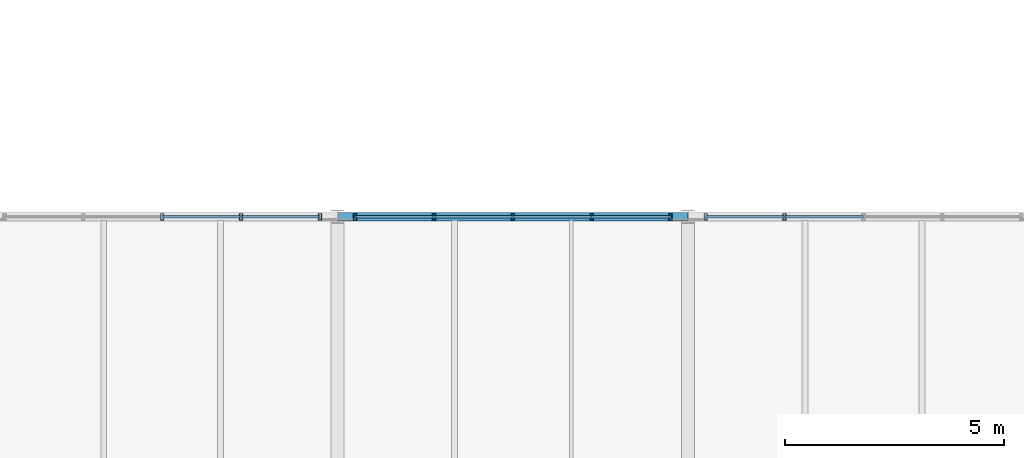
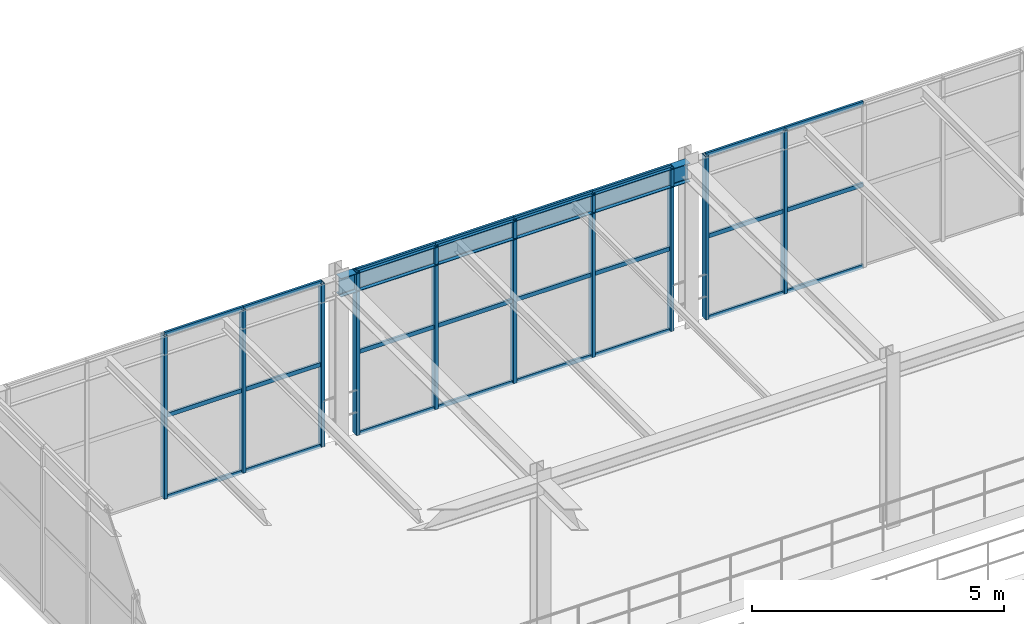
# One storey, part 48 of 124: 34 members, 1 beam, 3 elements without a shape of their own.
"""IFC4 building model written with IfcOpenShell, lengths in metres."""

from ifc_helpers import new_model, si_unit, direction, frame, origin, origin_2d, place, context, subcontext, project, spatial, hollow_rectangle, i_section, extrude, material, material_profile, profile_set, type_object, element, aggregate, save


model = new_model("IFC4")

# Units and contexts
model_context = context("Model", 3, precision=1e-05, world=origin(), true_north=direction((0.0, 1.0)))
body_context = subcontext(model_context, "Body", "Model", "MODEL_VIEW")
ifc_project = project(units=[si_unit("LENGTHUNIT", "METRE"), si_unit("AREAUNIT", "SQUARE_METRE"), si_unit("VOLUMEUNIT", "CUBIC_METRE"), si_unit("PLANEANGLEUNIT", "RADIAN"), si_unit("MASSUNIT", "GRAM", prefix="KILO")], contexts=[model_context])

# Site, building, storey
site_placement = place(None, origin())
site = spatial("IfcSite", under=ifc_project, at=site_placement, CompositionType="ELEMENT")
building_placement = place(site_placement, origin())
building = spatial("IfcBuilding", under=site, at=building_placement, Name="Sundkrona Museum", CompositionType="ELEMENT")
storey_placement = place(building_placement, frame((0.0, 0.0, 17.60009765625)))
storey = spatial("IfcBuildingStorey", under=building, at=storey_placement, Name="L03", CompositionType="ELEMENT", Elevation=17.60009765625)

# Curtain wall, members
ifc_material_1 = material(Name="Unitised Aluminium-Steel and Ceramic-Clad Curtain Walling", Category="steel")
curtain_wall_type = type_object("IfcCurtainWallType", Name="CW-AT-72x38", PredefinedType="NOTDEFINED", material=ifc_material_1)
curtain_wall_1_placement = place(storey_placement, origin())
curtain_wall_1 = element("IfcCurtainWall", 1, at=curtain_wall_1_placement, inside=storey, type_object=curtain_wall_type, Name="L03 Curtain Wall CW-L03-070", PredefinedType="NOTDEFINED")
ifc_material_2 = material(Name="Aluminium EN AW-6060 T66", Category="aluminium")
ifc_material_profile_1 = material_profile(ifc_material_2, hollow_rectangle(XDim=0.074951171875, YDim=0.14990234375, WallThickness=0.00634765625, at=origin_2d()), Name="RHS 150x75x6.3")
ifc_profile_set_1 = profile_set([ifc_material_profile_1], Name="Aluminium EN AW-6060 T66")
member_type_1 = type_object("IfcMemberType", Name="ML-150", PredefinedType="MULLION", material=ifc_profile_set_1)
member_1_placement = place(storey_placement, frame((84.0, 40.0, -0.004150390625), z_axis=(0.0, 0.0, 1.0), x_axis=(1.0, 0.0, 0.0)))
member_1 = element("IfcMember", 2, at=member_1_placement, type_object=member_type_1, Name="CW-L03-070 Mullion 03", PredefinedType="MULLION", context=body_context, shape_type="SweptSolid", body=[
    extrude(hollow_rectangle(XDim=0.074951171875, YDim=0.14990234375, WallThickness=0.00634765625, at=origin_2d()), origin(), (0.0, 0.0, 1.0), 3.947998046875),
])
member_2_placement = place(storey_placement, frame((85.800048828125, 40.0, -0.004150390625), z_axis=(0.0, 0.0, 1.0), x_axis=(1.0, 0.0, 0.0)))
member_2 = element("IfcMember", 3, at=member_2_placement, type_object=member_type_1, Name="CW-L03-070 Mullion 04", PredefinedType="MULLION", context=body_context, shape_type="SweptSolid", body=[
    extrude(hollow_rectangle(XDim=0.074951171875, YDim=0.14990234375, WallThickness=0.00634765625, at=origin_2d()), origin(), (0.0, 0.0, 1.0), 3.947998046875),
])
member_3_placement = place(storey_placement, frame((87.60009765625, 40.0, -0.004150390625), z_axis=(0.0, 0.0, 1.0), x_axis=(1.0, 0.0, 0.0)))
member_3 = element("IfcMember", 4, at=member_3_placement, type_object=member_type_1, Name="CW-L03-070 Mullion 05", PredefinedType="MULLION", context=body_context, shape_type="SweptSolid", body=[
    extrude(hollow_rectangle(XDim=0.074951171875, YDim=0.14990234375, WallThickness=0.00634765625, at=origin_2d()), origin(), (0.0, 0.0, 1.0), 3.947998046875),
])

curtain_wall_2_placement = place(storey_placement, origin())
curtain_wall_2 = element("IfcCurtainWall", 5, at=curtain_wall_2_placement, inside=storey, type_object=curtain_wall_type, Name="L03 Curtain Wall CW-L03-071", PredefinedType="NOTDEFINED")
member_4_placement = place(storey_placement, frame((88.39990234375, 40.0, -0.004150390625), z_axis=(0.0, 0.0, 1.0), x_axis=(1.0, 0.0, 0.0)))
member_4 = element("IfcMember", 6, at=member_4_placement, type_object=member_type_1, Name="CW-L03-071 Mullion 01", PredefinedType="MULLION", context=body_context, shape_type="SweptSolid", body=[
    extrude(hollow_rectangle(XDim=0.074951171875, YDim=0.14990234375, WallThickness=0.00634765625, at=origin_2d()), origin(), (0.0, 0.0, 1.0), 3.947998046875),
])
member_5_placement = place(storey_placement, frame((90.199951171875, 40.0, -0.004150390625), z_axis=(0.0, 0.0, 1.0), x_axis=(1.0, 0.0, 0.0)))
member_5 = element("IfcMember", 7, at=member_5_placement, type_object=member_type_1, Name="CW-L03-071 Mullion 02", PredefinedType="MULLION", context=body_context, shape_type="SweptSolid", body=[
    extrude(hollow_rectangle(XDim=0.074951171875, YDim=0.14990234375, WallThickness=0.00634765625, at=origin_2d()), origin(), (0.0, 0.0, 1.0), 3.947998046875),
])
member_6_placement = place(storey_placement, frame((92.0, 40.0, -0.004150390625), z_axis=(0.0, 0.0, 1.0), x_axis=(1.0, 0.0, 0.0)))
member_6 = element("IfcMember", 8, at=member_6_placement, type_object=member_type_1, Name="CW-L03-071 Mullion 03", PredefinedType="MULLION", context=body_context, shape_type="SweptSolid", body=[
    extrude(hollow_rectangle(XDim=0.074951171875, YDim=0.14990234375, WallThickness=0.00634765625, at=origin_2d()), origin(), (0.0, 0.0, 1.0), 3.947998046875),
])
member_7_placement = place(storey_placement, frame((93.800048828125, 40.0, -0.004150390625), z_axis=(0.0, 0.0, 1.0), x_axis=(1.0, 0.0, 0.0)))
member_7 = element("IfcMember", 9, at=member_7_placement, type_object=member_type_1, Name="CW-L03-071 Mullion 04", PredefinedType="MULLION", context=body_context, shape_type="SweptSolid", body=[
    extrude(hollow_rectangle(XDim=0.074951171875, YDim=0.14990234375, WallThickness=0.00634765625, at=origin_2d()), origin(), (0.0, 0.0, 1.0), 3.947998046875),
])
member_8_placement = place(storey_placement, frame((95.60009765625, 40.0, -0.004150390625), z_axis=(0.0, 0.0, 1.0), x_axis=(1.0, 0.0, 0.0)))
member_8 = element("IfcMember", 10, at=member_8_placement, type_object=member_type_1, Name="CW-L03-071 Mullion 05", PredefinedType="MULLION", context=body_context, shape_type="SweptSolid", body=[
    extrude(hollow_rectangle(XDim=0.074951171875, YDim=0.14990234375, WallThickness=0.00634765625, at=origin_2d()), origin(), (0.0, 0.0, 1.0), 3.947998046875),
])

curtain_wall_3_placement = place(storey_placement, origin())
curtain_wall_3 = element("IfcCurtainWall", 11, at=curtain_wall_3_placement, inside=storey, type_object=curtain_wall_type, Name="L03 Curtain Wall CW-L03-072", PredefinedType="NOTDEFINED")
member_9_placement = place(storey_placement, frame((96.39990234375, 40.0, -0.004150390625), z_axis=(0.0, 0.0, 1.0), x_axis=(1.0, 0.0, 0.0)))
member_9 = element("IfcMember", 12, at=member_9_placement, type_object=member_type_1, Name="CW-L03-072 Mullion 01", PredefinedType="MULLION", context=body_context, shape_type="SweptSolid", body=[
    extrude(hollow_rectangle(XDim=0.074951171875, YDim=0.14990234375, WallThickness=0.00634765625, at=origin_2d()), origin(), (0.0, 0.0, 1.0), 3.947998046875),
])
member_10_placement = place(storey_placement, frame((98.199951171875, 40.0, -0.004150390625), z_axis=(0.0, 0.0, 1.0), x_axis=(1.0, 0.0, 0.0)))
member_10 = element("IfcMember", 13, at=member_10_placement, type_object=member_type_1, Name="CW-L03-072 Mullion 02", PredefinedType="MULLION", context=body_context, shape_type="SweptSolid", body=[
    extrude(hollow_rectangle(XDim=0.074951171875, YDim=0.14990234375, WallThickness=0.00634765625, at=origin_2d()), origin(), (0.0, 0.0, 1.0), 3.947998046875),
])

# Beam
ifc_material_3 = material(Name="Steel S355J2", Category="steel")
ifc_material_profile_2 = material_profile(ifc_material_3, i_section(OverallWidth=0.18994140625, OverallDepth=0.449951171875, WebThickness=0.009521484375, FlangeThickness=0.0146484375, FilletRadius=0.02099609375, at=origin_2d()), Name="IPE 450")
ifc_profile_set_2 = profile_set([ifc_material_profile_2], Name="Steel S355J2")
beam_type = type_object("IfcBeamType", Name="SP-IPE450", PredefinedType="SPANDREL", material=ifc_profile_set_2)
beam_placement = place(storey_placement, frame((88.0, 40.0, 3.71484375), z_axis=(1.0, 0.0, 0.0), x_axis=(0.0, 1.0, 0.0)))
element("IfcBeam", 14, at=beam_placement, inside=storey, type_object=beam_type, Name="L03 Girder X-1458", PredefinedType="SPANDREL", context=body_context, shape_type="SweptSolid", body=[
    extrude(i_section(OverallWidth=0.18994140625, OverallDepth=0.449951171875, WebThickness=0.009521484375, FlangeThickness=0.0146484375, FilletRadius=0.02099609375, at=origin_2d()), origin(), (0.0, 0.0, 1.0), 8.0),
])

# Member
ifc_material_profile_3 = material_profile(ifc_material_2, hollow_rectangle(XDim=0.050048828125, YDim=0.10009765625, WallThickness=0.0048828125, at=origin_2d()), Name="RHS 100x50x5.0")
ifc_profile_set_3 = profile_set([ifc_material_profile_3], Name="Aluminium EN AW-6060 T66")
member_type_2 = type_object("IfcMemberType", Name="TR-100", PredefinedType="USERDEFINED", material=ifc_profile_set_3)
member_11_placement = place(storey_placement, frame((84.0, 40.0, -0.004150390625), z_axis=(1.0, 0.0, 0.0), x_axis=(0.0, 1.0, 0.0)))
member_11 = element("IfcMember", 15, at=member_11_placement, type_object=member_type_2, Name="CW-L03-070 Transom 07", ObjectType="TRANSOM", PredefinedType="USERDEFINED", context=body_context, shape_type="SweptSolid", body=[
    extrude(hollow_rectangle(XDim=0.050048828125, YDim=0.10009765625, WallThickness=0.0048828125, at=origin_2d()), origin(), (0.0, 0.0, 1.0), 1.800048828125),
])

member_12_placement = place(storey_placement, frame((84.0, 40.0, 1.969970703125), z_axis=(1.0, 0.0, 0.0), x_axis=(0.0, 1.0, 0.0)))
member_12 = element("IfcMember", 16, at=member_12_placement, type_object=member_type_2, Name="CW-L03-070 Transom 08", ObjectType="TRANSOM", PredefinedType="USERDEFINED", context=body_context, shape_type="SweptSolid", body=[
    extrude(hollow_rectangle(XDim=0.050048828125, YDim=0.10009765625, WallThickness=0.0048828125, at=origin_2d()), origin(), (0.0, 0.0, 1.0), 1.800048828125),
])

member_13_placement = place(storey_placement, frame((84.0, 40.0, 3.94384765625), z_axis=(1.0, 0.0, 0.0), x_axis=(0.0, 1.0, 0.0)))
member_13 = element("IfcMember", 17, at=member_13_placement, type_object=member_type_2, Name="CW-L03-070 Transom 09", ObjectType="TRANSOM", PredefinedType="USERDEFINED", context=body_context, shape_type="SweptSolid", body=[
    extrude(hollow_rectangle(XDim=0.050048828125, YDim=0.10009765625, WallThickness=0.0048828125, at=origin_2d()), origin(), (0.0, 0.0, 1.0), 1.800048828125),
])

member_14_placement = place(storey_placement, frame((85.800048828125, 40.0, -0.004150390625), z_axis=(1.0, 0.0, 0.0), x_axis=(0.0, 1.0, 0.0)))
member_14 = element("IfcMember", 18, at=member_14_placement, type_object=member_type_2, Name="CW-L03-070 Transom 10", ObjectType="TRANSOM", PredefinedType="USERDEFINED", context=body_context, shape_type="SweptSolid", body=[
    extrude(hollow_rectangle(XDim=0.050048828125, YDim=0.10009765625, WallThickness=0.0048828125, at=origin_2d()), origin(), (0.0, 0.0, 1.0), 1.800048828125),
])

member_15_placement = place(storey_placement, frame((85.800048828125, 40.0, 1.969970703125), z_axis=(1.0, 0.0, 0.0), x_axis=(0.0, 1.0, 0.0)))
member_15 = element("IfcMember", 19, at=member_15_placement, type_object=member_type_2, Name="CW-L03-070 Transom 11", ObjectType="TRANSOM", PredefinedType="USERDEFINED", context=body_context, shape_type="SweptSolid", body=[
    extrude(hollow_rectangle(XDim=0.050048828125, YDim=0.10009765625, WallThickness=0.0048828125, at=origin_2d()), origin(), (0.0, 0.0, 1.0), 1.800048828125),
])

member_16_placement = place(storey_placement, frame((85.800048828125, 40.0, 3.94384765625), z_axis=(1.0, 0.0, 0.0), x_axis=(0.0, 1.0, 0.0)))
member_16 = element("IfcMember", 20, at=member_16_placement, type_object=member_type_2, Name="CW-L03-070 Transom 12", ObjectType="TRANSOM", PredefinedType="USERDEFINED", context=body_context, shape_type="SweptSolid", body=[
    extrude(hollow_rectangle(XDim=0.050048828125, YDim=0.10009765625, WallThickness=0.0048828125, at=origin_2d()), origin(), (0.0, 0.0, 1.0), 1.800048828125),
])

aggregate(curtain_wall_1, [member_1, member_2, member_3, member_11, member_12, member_13, member_14, member_15, member_16])

member_17_placement = place(storey_placement, frame((88.39990234375, 40.0, -0.004150390625), z_axis=(1.0, 0.0, 0.0), x_axis=(0.0, 1.0, 0.0)))
member_17 = element("IfcMember", 21, at=member_17_placement, type_object=member_type_2, Name="CW-L03-071 Transom 01", ObjectType="TRANSOM", PredefinedType="USERDEFINED", context=body_context, shape_type="SweptSolid", body=[
    extrude(hollow_rectangle(XDim=0.050048828125, YDim=0.10009765625, WallThickness=0.0048828125, at=origin_2d()), origin(), (0.0, 0.0, 1.0), 1.800048828125),
])

member_18_placement = place(storey_placement, frame((88.39990234375, 40.0, 1.969970703125), z_axis=(1.0, 0.0, 0.0), x_axis=(0.0, 1.0, 0.0)))
member_18 = element("IfcMember", 22, at=member_18_placement, type_object=member_type_2, Name="CW-L03-071 Transom 02", ObjectType="TRANSOM", PredefinedType="USERDEFINED", context=body_context, shape_type="SweptSolid", body=[
    extrude(hollow_rectangle(XDim=0.050048828125, YDim=0.10009765625, WallThickness=0.0048828125, at=origin_2d()), origin(), (0.0, 0.0, 1.0), 1.800048828125),
])

member_19_placement = place(storey_placement, frame((88.39990234375, 40.0, 3.94384765625), z_axis=(1.0, 0.0, 0.0), x_axis=(0.0, 1.0, 0.0)))
member_19 = element("IfcMember", 23, at=member_19_placement, type_object=member_type_2, Name="CW-L03-071 Transom 03", ObjectType="TRANSOM", PredefinedType="USERDEFINED", context=body_context, shape_type="SweptSolid", body=[
    extrude(hollow_rectangle(XDim=0.050048828125, YDim=0.10009765625, WallThickness=0.0048828125, at=origin_2d()), origin(), (0.0, 0.0, 1.0), 1.800048828125),
])

member_20_placement = place(storey_placement, frame((90.199951171875, 40.0, -0.004150390625), z_axis=(1.0, 0.0, 0.0), x_axis=(0.0, 1.0, 0.0)))
member_20 = element("IfcMember", 24, at=member_20_placement, type_object=member_type_2, Name="CW-L03-071 Transom 04", ObjectType="TRANSOM", PredefinedType="USERDEFINED", context=body_context, shape_type="SweptSolid", body=[
    extrude(hollow_rectangle(XDim=0.050048828125, YDim=0.10009765625, WallThickness=0.0048828125, at=origin_2d()), origin(), (0.0, 0.0, 1.0), 1.800048828125),
])

member_21_placement = place(storey_placement, frame((90.199951171875, 40.0, 1.969970703125), z_axis=(1.0, 0.0, 0.0), x_axis=(0.0, 1.0, 0.0)))
member_21 = element("IfcMember", 25, at=member_21_placement, type_object=member_type_2, Name="CW-L03-071 Transom 05", ObjectType="TRANSOM", PredefinedType="USERDEFINED", context=body_context, shape_type="SweptSolid", body=[
    extrude(hollow_rectangle(XDim=0.050048828125, YDim=0.10009765625, WallThickness=0.0048828125, at=origin_2d()), origin(), (0.0, 0.0, 1.0), 1.800048828125),
])

member_22_placement = place(storey_placement, frame((90.199951171875, 40.0, 3.94384765625), z_axis=(1.0, 0.0, 0.0), x_axis=(0.0, 1.0, 0.0)))
member_22 = element("IfcMember", 26, at=member_22_placement, type_object=member_type_2, Name="CW-L03-071 Transom 06", ObjectType="TRANSOM", PredefinedType="USERDEFINED", context=body_context, shape_type="SweptSolid", body=[
    extrude(hollow_rectangle(XDim=0.050048828125, YDim=0.10009765625, WallThickness=0.0048828125, at=origin_2d()), origin(), (0.0, 0.0, 1.0), 1.800048828125),
])

member_23_placement = place(storey_placement, frame((92.0, 40.0, -0.004150390625), z_axis=(1.0, 0.0, 0.0), x_axis=(0.0, 1.0, 0.0)))
member_23 = element("IfcMember", 27, at=member_23_placement, type_object=member_type_2, Name="CW-L03-071 Transom 07", ObjectType="TRANSOM", PredefinedType="USERDEFINED", context=body_context, shape_type="SweptSolid", body=[
    extrude(hollow_rectangle(XDim=0.050048828125, YDim=0.10009765625, WallThickness=0.0048828125, at=origin_2d()), origin(), (0.0, 0.0, 1.0), 1.800048828125),
])

member_24_placement = place(storey_placement, frame((92.0, 40.0, 1.969970703125), z_axis=(1.0, 0.0, 0.0), x_axis=(0.0, 1.0, 0.0)))
member_24 = element("IfcMember", 28, at=member_24_placement, type_object=member_type_2, Name="CW-L03-071 Transom 08", ObjectType="TRANSOM", PredefinedType="USERDEFINED", context=body_context, shape_type="SweptSolid", body=[
    extrude(hollow_rectangle(XDim=0.050048828125, YDim=0.10009765625, WallThickness=0.0048828125, at=origin_2d()), origin(), (0.0, 0.0, 1.0), 1.800048828125),
])

member_25_placement = place(storey_placement, frame((92.0, 40.0, 3.94384765625), z_axis=(1.0, 0.0, 0.0), x_axis=(0.0, 1.0, 0.0)))
member_25 = element("IfcMember", 29, at=member_25_placement, type_object=member_type_2, Name="CW-L03-071 Transom 09", ObjectType="TRANSOM", PredefinedType="USERDEFINED", context=body_context, shape_type="SweptSolid", body=[
    extrude(hollow_rectangle(XDim=0.050048828125, YDim=0.10009765625, WallThickness=0.0048828125, at=origin_2d()), origin(), (0.0, 0.0, 1.0), 1.800048828125),
])

member_26_placement = place(storey_placement, frame((93.800048828125, 40.0, -0.004150390625), z_axis=(1.0, 0.0, 0.0), x_axis=(0.0, 1.0, 0.0)))
member_26 = element("IfcMember", 30, at=member_26_placement, type_object=member_type_2, Name="CW-L03-071 Transom 10", ObjectType="TRANSOM", PredefinedType="USERDEFINED", context=body_context, shape_type="SweptSolid", body=[
    extrude(hollow_rectangle(XDim=0.050048828125, YDim=0.10009765625, WallThickness=0.0048828125, at=origin_2d()), origin(), (0.0, 0.0, 1.0), 1.800048828125),
])

member_27_placement = place(storey_placement, frame((93.800048828125, 40.0, 1.969970703125), z_axis=(1.0, 0.0, 0.0), x_axis=(0.0, 1.0, 0.0)))
member_27 = element("IfcMember", 31, at=member_27_placement, type_object=member_type_2, Name="CW-L03-071 Transom 11", ObjectType="TRANSOM", PredefinedType="USERDEFINED", context=body_context, shape_type="SweptSolid", body=[
    extrude(hollow_rectangle(XDim=0.050048828125, YDim=0.10009765625, WallThickness=0.0048828125, at=origin_2d()), origin(), (0.0, 0.0, 1.0), 1.800048828125),
])

member_28_placement = place(storey_placement, frame((93.800048828125, 40.0, 3.94384765625), z_axis=(1.0, 0.0, 0.0), x_axis=(0.0, 1.0, 0.0)))
member_28 = element("IfcMember", 32, at=member_28_placement, type_object=member_type_2, Name="CW-L03-071 Transom 12", ObjectType="TRANSOM", PredefinedType="USERDEFINED", context=body_context, shape_type="SweptSolid", body=[
    extrude(hollow_rectangle(XDim=0.050048828125, YDim=0.10009765625, WallThickness=0.0048828125, at=origin_2d()), origin(), (0.0, 0.0, 1.0), 1.800048828125),
])

aggregate(curtain_wall_2, [member_4, member_5, member_6, member_7, member_8, member_17, member_18, member_19, member_20, member_21, member_22, member_23, member_24, member_25, member_26, member_27, member_28])

member_29_placement = place(storey_placement, frame((96.39990234375, 40.0, -0.004150390625), z_axis=(1.0, 0.0, 0.0), x_axis=(0.0, 1.0, 0.0)))
member_29 = element("IfcMember", 33, at=member_29_placement, type_object=member_type_2, Name="CW-L03-072 Transom 01", ObjectType="TRANSOM", PredefinedType="USERDEFINED", context=body_context, shape_type="SweptSolid", body=[
    extrude(hollow_rectangle(XDim=0.050048828125, YDim=0.10009765625, WallThickness=0.0048828125, at=origin_2d()), origin(), (0.0, 0.0, 1.0), 1.800048828125),
])

member_30_placement = place(storey_placement, frame((96.39990234375, 40.0, 1.969970703125), z_axis=(1.0, 0.0, 0.0), x_axis=(0.0, 1.0, 0.0)))
member_30 = element("IfcMember", 34, at=member_30_placement, type_object=member_type_2, Name="CW-L03-072 Transom 02", ObjectType="TRANSOM", PredefinedType="USERDEFINED", context=body_context, shape_type="SweptSolid", body=[
    extrude(hollow_rectangle(XDim=0.050048828125, YDim=0.10009765625, WallThickness=0.0048828125, at=origin_2d()), origin(), (0.0, 0.0, 1.0), 1.800048828125),
])

member_31_placement = place(storey_placement, frame((96.39990234375, 40.0, 3.94384765625), z_axis=(1.0, 0.0, 0.0), x_axis=(0.0, 1.0, 0.0)))
member_31 = element("IfcMember", 35, at=member_31_placement, type_object=member_type_2, Name="CW-L03-072 Transom 03", ObjectType="TRANSOM", PredefinedType="USERDEFINED", context=body_context, shape_type="SweptSolid", body=[
    extrude(hollow_rectangle(XDim=0.050048828125, YDim=0.10009765625, WallThickness=0.0048828125, at=origin_2d()), origin(), (0.0, 0.0, 1.0), 1.800048828125),
])

member_32_placement = place(storey_placement, frame((98.199951171875, 40.0, -0.004150390625), z_axis=(1.0, 0.0, 0.0), x_axis=(0.0, 1.0, 0.0)))
member_32 = element("IfcMember", 36, at=member_32_placement, type_object=member_type_2, Name="CW-L03-072 Transom 04", ObjectType="TRANSOM", PredefinedType="USERDEFINED", context=body_context, shape_type="SweptSolid", body=[
    extrude(hollow_rectangle(XDim=0.050048828125, YDim=0.10009765625, WallThickness=0.0048828125, at=origin_2d()), origin(), (0.0, 0.0, 1.0), 1.800048828125),
])

member_33_placement = place(storey_placement, frame((98.199951171875, 40.0, 1.969970703125), z_axis=(1.0, 0.0, 0.0), x_axis=(0.0, 1.0, 0.0)))
member_33 = element("IfcMember", 37, at=member_33_placement, type_object=member_type_2, Name="CW-L03-072 Transom 05", ObjectType="TRANSOM", PredefinedType="USERDEFINED", context=body_context, shape_type="SweptSolid", body=[
    extrude(hollow_rectangle(XDim=0.050048828125, YDim=0.10009765625, WallThickness=0.0048828125, at=origin_2d()), origin(), (0.0, 0.0, 1.0), 1.800048828125),
])

member_34_placement = place(storey_placement, frame((98.199951171875, 40.0, 3.94384765625), z_axis=(1.0, 0.0, 0.0), x_axis=(0.0, 1.0, 0.0)))
member_34 = element("IfcMember", 38, at=member_34_placement, type_object=member_type_2, Name="CW-L03-072 Transom 06", ObjectType="TRANSOM", PredefinedType="USERDEFINED", context=body_context, shape_type="SweptSolid", body=[
    extrude(hollow_rectangle(XDim=0.050048828125, YDim=0.10009765625, WallThickness=0.0048828125, at=origin_2d()), origin(), (0.0, 0.0, 1.0), 1.800048828125),
])

aggregate(curtain_wall_3, [member_9, member_10, member_29, member_30, member_31, member_32, member_33, member_34])

save(model, "model.ifc")
